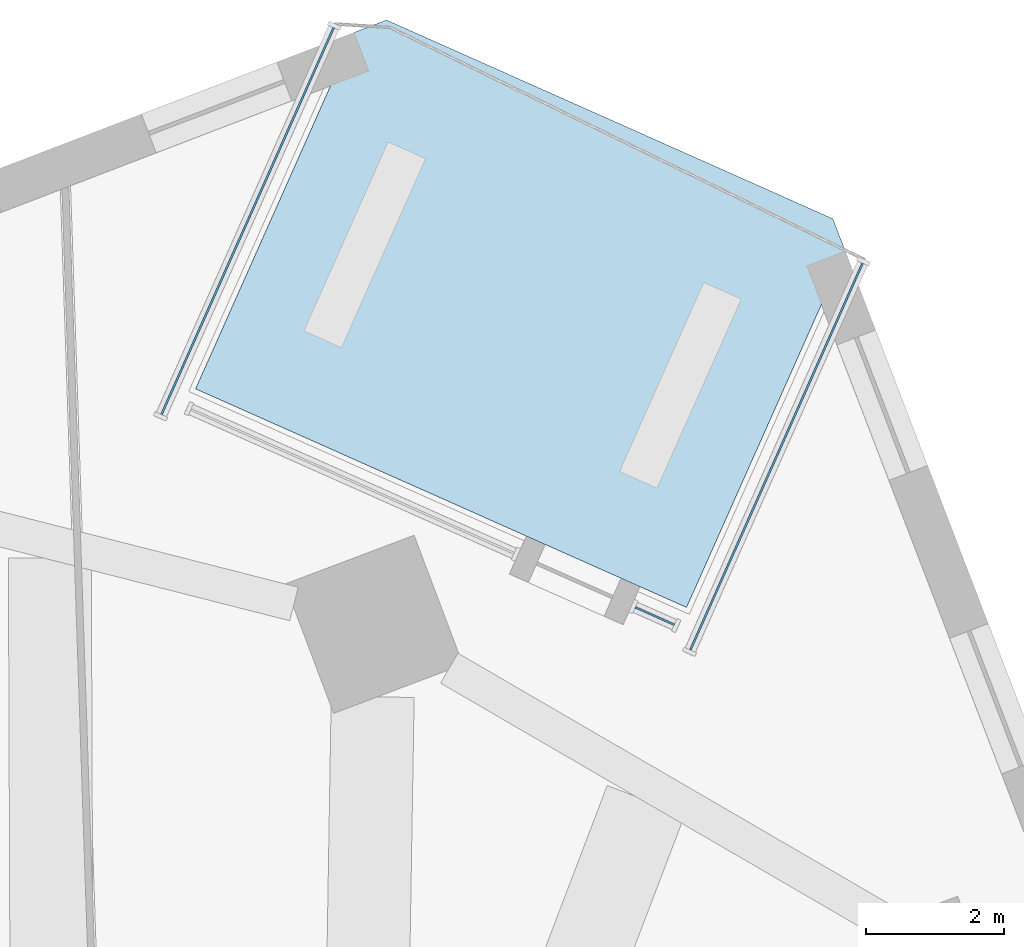
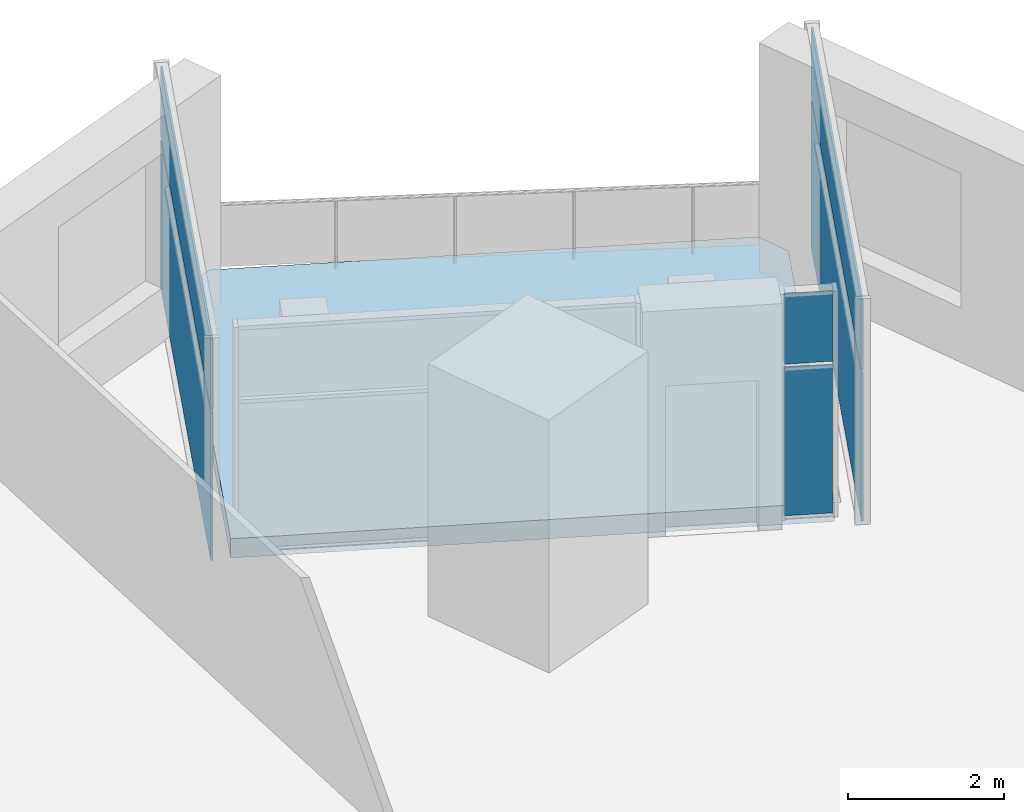
# One storey, part 6 of 14: 6 plates, 1 slab, 3 elements without a shape of their own.
"""IFC4 building model written with IfcOpenShell, lengths in metres."""

from ifc_helpers import new_model, si_unit, direction, frame, origin, origin_2d, place, context, subcontext, project, spatial, polyline, rectangle, outline, extrude, material, layer, layer_set, type_object, element, aggregate, save


model = new_model("IFC4")

# Units and contexts
model_context = context("Model", 3, precision=1e-05, world=origin(), true_north=direction((0.0, 1.0)))
body_context = subcontext(model_context, "Body", "Model", "MODEL_VIEW")
ifc_project = project(units=[si_unit("LENGTHUNIT", "METRE"), si_unit("AREAUNIT", "SQUARE_METRE"), si_unit("VOLUMEUNIT", "CUBIC_METRE"), si_unit("PLANEANGLEUNIT", "RADIAN"), si_unit("MASSUNIT", "GRAM", prefix="KILO")], contexts=[model_context])

# Site, building, storey
site_placement = place(None, origin())
site = spatial("IfcSite", under=ifc_project, at=site_placement, CompositionType="ELEMENT")
building_placement = place(site_placement, origin())
building = spatial("IfcBuilding", under=site, at=building_placement, Name="Dilmun Exchange Tower", CompositionType="ELEMENT")
storey_placement = place(building_placement, frame((0.0, 0.0, 106.10009765625)))
storey = spatial("IfcBuildingStorey", under=building, at=storey_placement, Name="L24", CompositionType="ELEMENT", Elevation=106.10009765625)

# Curtain wall, plates
ifc_material_1 = material(Name="Anodised aluminium and clear glass", Category="aluminium")
curtain_wall_type = type_object("IfcCurtainWallType", Name="Garden corner glazing", PredefinedType="NOTDEFINED", material=ifc_material_1)
curtain_wall_1_placement = place(storey_placement, origin())
curtain_wall_1 = element("IfcCurtainWall", 1, at=curtain_wall_1_placement, inside=storey, type_object=curtain_wall_type, Name="Garden corner glazing run GC1.1", PredefinedType="NOTDEFINED")
ifc_material_2 = material(Name="Clear glass", Category="glass")
ifc_layer_1 = layer(ifc_material_2, 0.028076171875)
ifc_layer_set_1 = layer_set([ifc_layer_1], Name="Clear glass")
plate_type = type_object("IfcPlateType", Name="Garden corner glazing glass panel 28", PredefinedType="CURTAIN_PANEL", material=ifc_layer_set_1)
plate_1_placement = place(storey_placement, frame((18.94775390625, 28.781494140625, 0.059814453125), z_axis=(0.0, 0.0, 1.0), x_axis=(-0.406742926585, -0.913542660018, 0.0)))
plate_1 = element("IfcPlate", 2, at=plate_1_placement, type_object=plate_type, Name="GC1.1 panel 1.1", PredefinedType="CURTAIN_PANEL", context=body_context, shape_type="SweptSolid", body=[
    extrude(rectangle(XDim=6.12646484375, YDim=0.028076171875, at=origin_2d()), origin(), (0.0, 0.0, 1.0), 2.31005859375),
])
plate_2_placement = place(storey_placement, frame((18.94775390625, 28.781494140625, 2.4296875), z_axis=(0.0, 0.0, 1.0), x_axis=(-0.406742926585, -0.913542660018, 0.0)))
plate_2 = element("IfcPlate", 3, at=plate_2_placement, type_object=plate_type, Name="GC1.1 panel 1.2", PredefinedType="CURTAIN_PANEL", context=body_context, shape_type="SweptSolid", body=[
    extrude(rectangle(XDim=6.12646484375, YDim=0.028076171875, at=origin_2d()), origin(), (0.0, 0.0, 1.0), 1.090087890625),
])
aggregate(curtain_wall_1, [plate_1, plate_2])

curtain_wall_2_placement = place(storey_placement, origin())
curtain_wall_2 = element("IfcCurtainWall", 4, at=curtain_wall_2_placement, inside=storey, type_object=curtain_wall_type, Name="Garden corner glazing run GC2.1", PredefinedType="NOTDEFINED")
plate_3_placement = place(storey_placement, frame((17.18798828125, 26.474609375, 0.059814453125), z_axis=(0.0, 0.0, 1.0), x_axis=(-0.913504435654, 0.406828767469, 0.0)))
plate_3 = element("IfcPlate", 5, at=plate_3_placement, type_object=plate_type, Name="GC2.1 panel 1.1", PredefinedType="CURTAIN_PANEL", context=body_context, shape_type="SweptSolid", body=[
    extrude(rectangle(XDim=0.619140625, YDim=0.028076171875, at=origin_2d()), origin(), (0.0, 0.0, 1.0), 2.31005859375),
])
plate_4_placement = place(storey_placement, frame((17.18798828125, 26.474609375, 2.4296875), z_axis=(0.0, 0.0, 1.0), x_axis=(-0.913504435654, 0.406828767469, 0.0)))
plate_4 = element("IfcPlate", 6, at=plate_4_placement, type_object=plate_type, Name="GC2.1 panel 1.2", PredefinedType="CURTAIN_PANEL", context=body_context, shape_type="SweptSolid", body=[
    extrude(rectangle(XDim=0.619140625, YDim=0.028076171875, at=origin_2d()), origin(), (0.0, 0.0, 1.0), 1.090087890625),
])
aggregate(curtain_wall_2, [plate_3, plate_4])

curtain_wall_3_placement = place(storey_placement, origin())
curtain_wall_3 = element("IfcCurtainWall", 7, at=curtain_wall_3_placement, inside=storey, type_object=curtain_wall_type, Name="Garden corner glazing run GC3.1", PredefinedType="NOTDEFINED")
plate_5_placement = place(storey_placement, frame((11.2939453125, 32.189208984375, 0.059814453125), z_axis=(0.0, 0.0, 1.0), x_axis=(0.406742926585, 0.913542660018, 0.0)))
plate_5 = element("IfcPlate", 8, at=plate_5_placement, type_object=plate_type, Name="GC3.1 panel 1.1", PredefinedType="CURTAIN_PANEL", context=body_context, shape_type="SweptSolid", body=[
    extrude(rectangle(XDim=6.12646484375, YDim=0.028076171875, at=origin_2d()), origin(), (0.0, 0.0, 1.0), 2.31005859375),
])
plate_6_placement = place(storey_placement, frame((11.2939453125, 32.189208984375, 2.4296875), z_axis=(0.0, 0.0, 1.0), x_axis=(0.406742926585, 0.913542660018, 0.0)))
plate_6 = element("IfcPlate", 9, at=plate_6_placement, type_object=plate_type, Name="GC3.1 panel 1.2", PredefinedType="CURTAIN_PANEL", context=body_context, shape_type="SweptSolid", body=[
    extrude(rectangle(XDim=6.12646484375, YDim=0.028076171875, at=origin_2d()), origin(), (0.0, 0.0, 1.0), 1.090087890625),
])
aggregate(curtain_wall_3, [plate_5, plate_6])

# Slab
ifc_material_3 = material(Name="Concrete C40/50", Category="concrete")
ifc_layer_2 = layer(ifc_material_3, 0.300048828125)
ifc_layer_set_2 = layer_set([ifc_layer_2], Name="Concrete C40/50")
slab_type = type_object("IfcSlabType", Name="RC garden terrace slab 300", PredefinedType="FLOOR", material=ifc_layer_set_2)
slab_placement = place(storey_placement, frame((0.0, 0.0, -0.300048828125)))
element("IfcSlab", 10, at=slab_placement, inside=storey, type_object=slab_type, Name="Garden terrace slab", PredefinedType="FLOOR", context=body_context, shape_type="SweptSolid", body=[
    extrude(outline(polyline([(10.541748046875, 29.761962890625), (12.83837890625, 34.92041015625), (13.30517578125, 35.099609375), (19.764892578125, 32.223388671875), (19.944091796875, 31.756591796875), (17.6474609375, 26.598388671875), (10.541748046875, 29.761962890625)])), origin(), (0.0, 0.0, 1.0), 0.300048828125),
])

save(model, "model.ifc")
